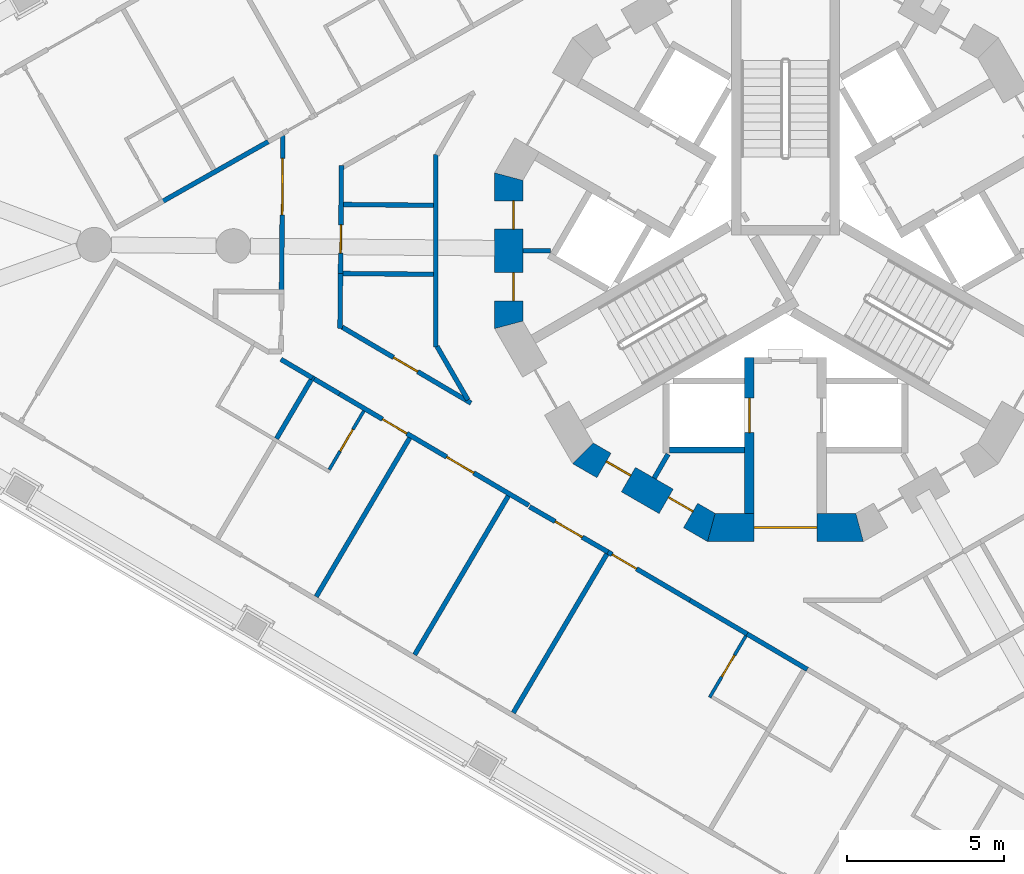
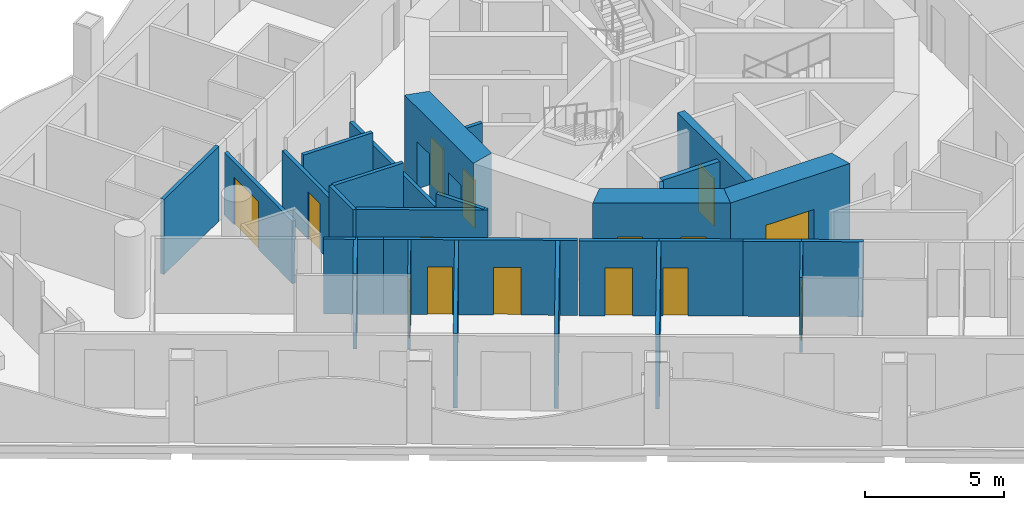
# One storey, part 3 of 18: 29 walls, 15 doors, 15 openings.
"""IFC4 building model written with IfcOpenShell, lengths in metres."""

from ifc_helpers import new_model, si_unit, direction, frame, frame_2d, origin, place, context, subcontext, project, spatial, polyline, rectangle, outline, extrude, material, layer, layer_set, type_object, element, fill, save


model = new_model("IFC4")

# Units and contexts
model_context = context("Model", 3, precision=1e-05, world=origin(), true_north=direction((0.0, 1.0)))
body_context = subcontext(model_context, "Body", "Model", "MODEL_VIEW")
ifc_project = project(units=[si_unit("LENGTHUNIT", "METRE"), si_unit("AREAUNIT", "SQUARE_METRE"), si_unit("VOLUMEUNIT", "CUBIC_METRE"), si_unit("PLANEANGLEUNIT", "RADIAN"), si_unit("MASSUNIT", "GRAM", prefix="KILO")], contexts=[model_context])

# Site, building, storey
site_placement = place(None, origin())
site = spatial("IfcSite", under=ifc_project, at=site_placement, CompositionType="ELEMENT")
building_placement = place(site_placement, origin())
building = spatial("IfcBuilding", under=site, at=building_placement, Name="Trine Commons Tower", CompositionType="ELEMENT")
storey_placement = place(building_placement, frame((0.0, 0.0, 175.5)))
storey = spatial("IfcBuildingStorey", under=building, at=storey_placement, Name="L45", CompositionType="ELEMENT", Elevation=175.5)

# Walls
ifc_material_1 = material(Name="Plasterboard partition on steel studs", Category="steel")
ifc_layer_1 = layer(ifc_material_1, 0.14990234375)
ifc_layer_set_1 = layer_set([ifc_layer_1], Name="Plasterboard partition on steel studs")
wall_type_1 = type_object("IfcWallType", Name="Core room partition 150 mm, EI 60", PredefinedType="PARTITIONING", material=ifc_layer_set_1)
for number, where, z_axis, x_axis, name in (
    (1, (71.626953125, 62.5, 0.0), (0.0, 0.0, 1.0), (1.0, 0.0, 0.0), "Core room partition L45"),
    (2, (75.81396484375, 55.2490234375, 0.0), (0.0, 0.0, 1.0), (0.499890179513, 0.866088799389, 0.0), "Core room partition L45"),
):
    element("IfcWall", number, at=place(storey_placement, frame(where, z_axis=z_axis, x_axis=x_axis)), inside=storey, type_object=wall_type_1, Name=name, PredefinedType="PARTITIONING", context=body_context, shape_type="SweptSolid", body=[
        extrude(rectangle(XDim=0.882080078125, YDim=0.14990234375, at=frame_2d((0.44091796875, 0.0))), origin(), (0.0, 0.0, 1.0), 3.300048828125),
    ])

# Wall, opening, door
ifc_material_2 = material(Name="Concrete C60/75", Category="concrete")
ifc_layer_2 = layer(ifc_material_2, 0.300048828125)
ifc_layer_set_2 = layer_set([ifc_layer_2], Name="Concrete C60/75")
wall_type_2 = type_object("IfcWallType", Name="RC shear wall 300 mm, C60/75", PredefinedType="SHEAR", material=ifc_layer_set_2)
wall_1_placement = place(storey_placement, frame((78.85009765625, 59.10009765625, 0.0), z_axis=(0.0, 0.0, 1.0), x_axis=(0.0, -1.0, 0.0)))
wall_1 = element("IfcWall", 3, at=wall_1_placement, inside=storey, type_object=wall_type_2, Name="Core cross wall SWB-03 L45", PredefinedType="SHEAR", context=body_context, shape_type="SweptSolid", body=[
    extrude(rectangle(XDim=4.97314453125, YDim=0.300048828125, at=frame_2d((2.486572265625, 0.0))), origin(), (0.0, 0.0, 1.0), 3.60009765625),
])
opening_1_placement = place(wall_1_placement, frame((1.300048828125, 0.0, 0.0)))
opening_1 = element("IfcOpeningElement", 4, at=opening_1_placement, cuts=wall_1, Name="Opening LD10", PredefinedType="OPENING", context=body_context, shape_type="SweptSolid", body=[
    extrude(rectangle(XDim=1.10009765625, YDim=2.10009765625, at=frame_2d((0.550048828125, 1.050048828125))), frame((0.0, 0.159912109375, 0.0), z_axis=(0.0, -1.0, 0.0), x_axis=(1.0, 0.0, 0.0)), (0.0, 0.0, 1.0), 0.320068359375),
])
ifc_material_3 = material(Name="Stainless steel sliding door leaves", Category="steel")
door_type_1 = type_object("IfcDoorType", Name="Lift landing door, centre-opening sliding 1100 x 2100, FD90", OperationType="DOUBLE_DOOR_SLIDING", PredefinedType="DOOR", material=ifc_material_3)
door_1_placement = place(opening_1_placement, origin())
door_1 = element("IfcDoor", 5, at=door_1_placement, inside=storey, type_object=door_type_1, Name="Lift landing door FF2 L45", OperationType="DOUBLE_DOOR_SLIDING", OverallHeight=2.10009765625, OverallWidth=1.10009765625, PredefinedType="DOOR", context=body_context, shape_type="SweptSolid", body=[
    extrude(rectangle(XDim=1.10009765625, YDim=2.10009765625, at=frame_2d((0.550048828125, 1.050048828125))), frame((0.0, 0.02490234375, 0.0), z_axis=(0.0, -1.0, 0.0), x_axis=(1.0, 0.0, 0.0)), (0.0, 0.0, 1.0), 0.050048828125),
])
fill(opening_1, door_1)

# Wall, openings, doors
ifc_layer_3 = layer(ifc_material_2, 0.89990234375)
ifc_layer_set_3 = layer_set([ifc_layer_3], Name="Concrete C60/75")
wall_type_3 = type_object("IfcWallType", Name="RC shear wall 900 mm, C60/75", PredefinedType="SHEAR", material=ifc_layer_set_3)
wall_2_placement = place(storey_placement, frame((71.177001953125, 64.984619140625, 0.0), z_axis=(0.0, 0.0, 1.0), x_axis=(0.0, -1.0, 0.0)))
wall_2 = element("IfcWall", 6, at=wall_2_placement, inside=storey, type_object=wall_type_3, Name="Core wall CWE-07 L45", PredefinedType="SHEAR", context=body_context, shape_type="SweptSolid", body=[
    extrude(outline(polyline([(0.0, -0.449951171875), (4.969482421875, -0.449951171875), (4.728271484375, 0.449951171875), (0.2412109375, 0.449951171875), (0.0, -0.449951171875)])), origin(), (0.0, 0.0, 1.0), 3.60009765625),
])
opening_2_placement = place(wall_2_placement, frame((0.893798828125, 0.0, 0.0)))
opening_2 = element("IfcOpeningElement", 7, at=opening_2_placement, cuts=wall_2, Name="Opening K12.16", PredefinedType="OPENING", context=body_context, shape_type="SweptSolid", body=[
    extrude(rectangle(XDim=0.89990234375, YDim=2.10009765625, at=frame_2d((0.449951171875, 1.050048828125))), frame((0.0, 0.4599609375, 0.0), z_axis=(0.0, -1.0, 0.0), x_axis=(1.0, 0.0, 0.0)), (0.0, 0.0, 1.0), 0.919921875),
])
opening_3_placement = place(wall_2_placement, frame((3.184814453125, 0.0, 0.0)))
opening_3 = element("IfcOpeningElement", 8, at=opening_3_placement, cuts=wall_2, Name="Opening K12.17", PredefinedType="OPENING", context=body_context, shape_type="SweptSolid", body=[
    extrude(rectangle(XDim=0.89990234375, YDim=2.10009765625, at=frame_2d((0.449951171875, 1.050048828125))), frame((0.0, 0.4599609375, 0.0), z_axis=(0.0, -1.0, 0.0), x_axis=(1.0, 0.0, 0.0)), (0.0, 0.0, 1.0), 0.919921875),
])
ifc_material_4 = material(Name="Steel door leaf, fire-rated", Category="steel")
door_type_2 = type_object("IfcDoorType", Name="Core room door, single leaf 900 x 2100, FD30S", OperationType="SINGLE_SWING_LEFT", PredefinedType="DOOR", material=ifc_material_4)
door_2_placement = place(opening_2_placement, origin())
door_2 = element("IfcDoor", 9, at=door_2_placement, inside=storey, type_object=door_type_2, Name="Door to Pantry L45", OperationType="SINGLE_SWING_LEFT", OverallHeight=2.10009765625, OverallWidth=0.89990234375, PredefinedType="DOOR", context=body_context, shape_type="SweptSolid", body=[
    extrude(rectangle(XDim=0.89990234375, YDim=2.10009765625, at=frame_2d((0.449951171875, 1.050048828125))), frame((0.0, 0.1748046875, 0.0), z_axis=(0.0, -1.0, 0.0), x_axis=(1.0, 0.0, 0.0)), (0.0, 0.0, 1.0), 0.050048828125),
])
fill(opening_2, door_2)
door_3_placement = place(opening_3_placement, origin())
door_3 = element("IfcDoor", 10, at=door_3_placement, inside=storey, type_object=door_type_2, Name="Door to Comms room L45", OperationType="SINGLE_SWING_RIGHT", OverallHeight=2.10009765625, OverallWidth=0.89990234375, PredefinedType="DOOR", context=body_context, shape_type="SweptSolid", body=[
    extrude(rectangle(XDim=0.89990234375, YDim=2.10009765625, at=frame_2d((0.449951171875, 1.050048828125))), frame((0.0, 0.1748046875, 0.0), z_axis=(0.0, -1.0, 0.0), x_axis=(1.0, 0.0, 0.0)), (0.0, 0.0, 1.0), 0.050048828125),
])
fill(opening_3, door_3)

wall_3_placement = place(storey_placement, frame((73.436767578125, 56.1015625, 0.0), z_axis=(0.0, 0.0, 1.0), x_axis=(0.866003133579, -0.500038571144, 0.0)))
wall_3 = element("IfcWall", 11, at=wall_3_placement, inside=storey, type_object=wall_type_3, Name="Core wall CWE-09 L45", PredefinedType="SHEAR", context=body_context, shape_type="SweptSolid", body=[
    extrude(outline(polyline([(0.0, -0.449951171875), (4.96923828125, -0.449951171875), (4.72802734375, 0.449951171875), (0.2412109375, 0.449951171875), (0.0, -0.449951171875)])), origin(), (0.0, 0.0, 1.0), 3.60009765625),
])
opening_4_placement = place(wall_3_placement, frame((0.89599609375, 0.0, 0.0)))
opening_4 = element("IfcOpeningElement", 12, at=opening_4_placement, cuts=wall_3, Name="Opening K12.18", PredefinedType="OPENING", context=body_context, shape_type="SweptSolid", body=[
    extrude(rectangle(XDim=0.89990234375, YDim=2.10009765625, at=frame_2d((0.449951171875, 1.050048828125))), frame((0.0, 0.4599609375, 0.0), z_axis=(0.0, -1.0, 0.0), x_axis=(1.0, 0.0, 0.0)), (0.0, 0.0, 1.0), 0.919921875),
])
opening_5_placement = place(wall_3_placement, frame((3.18505859375, 0.0, 0.0)))
opening_5 = element("IfcOpeningElement", 13, at=opening_5_placement, cuts=wall_3, Name="Opening K12.19", PredefinedType="OPENING", context=body_context, shape_type="SweptSolid", body=[
    extrude(rectangle(XDim=0.89990234375, YDim=2.10009765625, at=frame_2d((0.449951171875, 1.050048828125))), frame((0.0, 0.4599609375, 0.0), z_axis=(0.0, -1.0, 0.0), x_axis=(1.0, 0.0, 0.0)), (0.0, 0.0, 1.0), 0.919921875),
])
door_4_placement = place(opening_4_placement, origin())
door_4 = element("IfcDoor", 14, at=door_4_placement, inside=storey, type_object=door_type_2, Name="Door to Print room L45", OperationType="SINGLE_SWING_LEFT", OverallHeight=2.10009765625, OverallWidth=0.89990234375, PredefinedType="DOOR", context=body_context, shape_type="SweptSolid", body=[
    extrude(rectangle(XDim=0.89990234375, YDim=2.10009765625, at=frame_2d((0.449951171875, 1.050048828125))), frame((0.0, 0.1748046875, 0.0), z_axis=(0.0, -1.0, 0.0), x_axis=(1.0, 0.0, 0.0)), (0.0, 0.0, 1.0), 0.050048828125),
])
fill(opening_4, door_4)
door_5_placement = place(opening_5_placement, origin())
door_5 = element("IfcDoor", 15, at=door_5_placement, inside=storey, type_object=door_type_2, Name="Door to Core WC L45", OperationType="SINGLE_SWING_RIGHT", OverallHeight=2.10009765625, OverallWidth=0.89990234375, PredefinedType="DOOR", context=body_context, shape_type="SweptSolid", body=[
    extrude(rectangle(XDim=0.89990234375, YDim=2.10009765625, at=frame_2d((0.449951171875, 1.050048828125))), frame((0.0, 0.1748046875, 0.0), z_axis=(0.0, -1.0, 0.0), x_axis=(1.0, 0.0, 0.0)), (0.0, 0.0, 1.0), 0.050048828125),
])
fill(opening_5, door_5)

# Wall, opening, door
wall_4_placement = place(storey_placement, frame((77.515380859375, 53.677001953125, 0.0), z_axis=(0.0, 0.0, 1.0), x_axis=(1.0, 0.0, 0.0)))
wall_4 = element("IfcWall", 16, at=wall_4_placement, inside=storey, type_object=wall_type_3, Name="Core wall CWE-10 L45", PredefinedType="SHEAR", context=body_context, shape_type="SweptSolid", body=[
    extrude(outline(polyline([(0.0, -0.449951171875), (4.969482421875, -0.449951171875), (4.728271484375, 0.449951171875), (0.2412109375, 0.449951171875), (0.0, -0.449951171875)])), origin(), (0.0, 0.0, 1.0), 3.60009765625),
])
opening_6_placement = place(wall_4_placement, frame((1.484619140625, 0.0, 0.0)))
opening_6 = element("IfcOpeningElement", 17, at=opening_6_placement, cuts=wall_4, Name="Opening K12.08", PredefinedType="OPENING", context=body_context, shape_type="SweptSolid", body=[
    extrude(rectangle(XDim=2.0, YDim=2.10009765625, at=frame_2d((1.0, 1.050048828125))), frame((0.0, 0.4599609375, 0.0), z_axis=(0.0, -1.0, 0.0), x_axis=(1.0, 0.0, 0.0)), (0.0, 0.0, 1.0), 0.919921875),
])
ifc_material_5 = material(Name="Steel door leaves, fire-rated", Category="steel")
door_type_3 = type_object("IfcDoorType", Name="Lobby door, double leaf 2000 x 2100, FD60", OperationType="DOUBLE_DOOR_SINGLE_SWING", PredefinedType="DOOR", material=ifc_material_5)
door_6_placement = place(opening_6_placement, origin())
door_6 = element("IfcDoor", 18, at=door_6_placement, inside=storey, type_object=door_type_3, Name="Lobby door, Service and firefighting lobby L45", OperationType="DOUBLE_DOOR_SINGLE_SWING", OverallHeight=2.10009765625, OverallWidth=2.0, PredefinedType="DOOR", context=body_context, shape_type="SweptSolid", body=[
    extrude(rectangle(XDim=2.0, YDim=2.10009765625, at=frame_2d((1.0, 1.050048828125))), frame((0.0, 0.02490234375, 0.0), z_axis=(0.0, -1.0, 0.0), x_axis=(1.0, 0.0, 0.0)), (0.0, 0.0, 1.0), 0.050048828125),
])
fill(opening_6, door_6)

# Walls
ifc_material_6 = material(Name="Fire-rated gypsum shaft wall system")
ifc_layer_4 = layer(ifc_material_6, 0.199951171875)
ifc_layer_set_4 = layer_set([ifc_layer_4], Name="Fire-rated gypsum shaft wall system")
wall_type_4 = type_object("IfcWallType", Name="Shaft wall 200 mm, EI 120", PredefinedType="PARTITIONING", material=ifc_layer_set_4)
wall_5_placement = place(storey_placement, frame((78.699951171875, 56.14990234375, 0.0), z_axis=(0.0, 0.0, 1.0), x_axis=(-1.0, 0.0, 0.0)))
element("IfcWall", 19, at=wall_5_placement, inside=storey, type_object=wall_type_4, Name="Shaft wall L45", PredefinedType="PARTITIONING", context=body_context, shape_type="SweptSolid", body=[
    extrude(rectangle(XDim=2.39990234375, YDim=0.199951171875, at=frame_2d((1.199951171875, 0.0))), origin(), (0.0, 0.0, 1.0), 3.300048828125),
])
ifc_material_7 = material(Name="Gypsum plasterboard on steel stud", Category="steel")
ifc_layer_5 = layer(ifc_material_7, 0.14990234375)
ifc_layer_set_5 = layer_set([ifc_layer_5], Name="Gypsum plasterboard on steel stud")
wall_type_5 = type_object("IfcWallType", Name="Unit and corridor wall 150 mm, EI 60", PredefinedType="PARTITIONING", material=ifc_layer_set_5)
wall_6_placement = place(storey_placement, frame((60.113037109375, 64.056884765625, 0.0), z_axis=(0.0, 0.0, 1.0), x_axis=(0.870300828713, 0.492520524995, 0.0)))
element("IfcWall", 20, at=wall_6_placement, inside=storey, type_object=wall_type_5, Name="Partition 008", PredefinedType="PARTITIONING", context=body_context, shape_type="SweptSolid", body=[
    extrude(rectangle(XDim=3.906494140625, YDim=0.14990234375, at=frame_2d((1.953125, 0.0))), origin(), (0.0, 0.0, 1.0), 3.300048828125),
])
wall_7_placement = place(storey_placement, frame((63.7724609375, 56.509033203125, 0.0), z_axis=(0.0, 0.0, 1.0), x_axis=(0.507359649966, 0.861734405479, 0.0)))
element("IfcWall", 21, at=wall_7_placement, inside=storey, type_object=wall_type_5, Name="Partition 020", PredefinedType="PARTITIONING", context=body_context, shape_type="SweptSolid", body=[
    extrude(rectangle(XDim=2.3251953125, YDim=0.14990234375, at=frame_2d((1.16259765625, 0.0))), origin(), (0.0, 0.0, 1.0), 3.300048828125),
])
wall_8_placement = place(storey_placement, frame((63.9140625, 59.037109375, 0.0), z_axis=(0.0, 0.0, 1.0), x_axis=(0.861518804546, -0.507725663536, 0.0)))
element("IfcWall", 22, at=wall_8_placement, inside=storey, type_object=wall_type_5, Name="Partition 021", PredefinedType="PARTITIONING", context=body_context, shape_type="SweptSolid", body=[
    extrude(rectangle(XDim=1.1640625, YDim=0.14990234375, at=frame_2d((0.58203125, 0.0))), origin(), (0.0, 0.0, 1.0), 3.300048828125),
])

# Wall, opening, door
wall_9_placement = place(storey_placement, frame((63.931884765625, 61.18310546875, 0.0), z_axis=(0.0, 0.0, 1.0), x_axis=(0.008717466764, 0.999962002165, 0.0)))
wall_9 = element("IfcWall", 23, at=wall_9_placement, inside=storey, type_object=wall_type_5, Name="Partition 023", PredefinedType="PARTITIONING", context=body_context, shape_type="SweptSolid", body=[
    extrude(rectangle(XDim=4.985107421875, YDim=0.14990234375, at=frame_2d((2.49267578125, 0.0))), origin(), (0.0, 0.0, 1.0), 2.75),
])
opening_7_placement = place(wall_9_placement, frame((2.458984375, 0.0, 0.0)))
opening_7 = element("IfcOpeningElement", 24, at=opening_7_placement, cuts=wall_9, Name="Opening D-5B03", PredefinedType="OPENING", context=body_context, shape_type="SweptSolid", body=[
    extrude(rectangle(XDim=1.800048828125, YDim=2.10009765625, at=frame_2d((0.89990234375, 1.050048828125))), frame((0.0, 0.0849609375, 0.0), z_axis=(0.0, -1.0, 0.0), x_axis=(1.0, 0.0, 0.0)), (0.0, 0.0, 1.0), 0.169921875),
])
ifc_material_8 = material(Name="Timber fire door set", Category="wood")
door_type_4 = type_object("IfcDoorType", Name="Cluster entrance door 1800 x 2100, double leaf, FD30S", OperationType="DOUBLE_DOOR_DOUBLE_SWING", PredefinedType="DOOR", material=ifc_material_8)
door_7_placement = place(opening_7_placement, origin())
door_7 = element("IfcDoor", 25, at=door_7_placement, inside=storey, type_object=door_type_4, Name="Door D-5B03", OperationType="DOUBLE_DOOR_DOUBLE_SWING", OverallHeight=2.10009765625, OverallWidth=1.800048828125, PredefinedType="DOOR", context=body_context, shape_type="SweptSolid", body=[
    extrude(rectangle(XDim=1.800048828125, YDim=2.10009765625, at=frame_2d((0.89990234375, 1.050048828125))), frame((0.0, 0.02490234375, 0.0), z_axis=(0.0, -1.0, 0.0), x_axis=(1.0, 0.0, 0.0)), (0.0, 0.0, 1.0), 0.050048828125),
])
fill(opening_7, door_7)

# Walls
wall_10_placement = place(storey_placement, frame((64.9755859375, 58.411865234375, 0.0), z_axis=(0.0, 0.0, 1.0), x_axis=(0.861348284073, -0.508014894982, 0.0)))
element("IfcWall", 26, at=wall_10_placement, inside=storey, type_object=wall_type_5, Name="Partition 025", PredefinedType="PARTITIONING", context=body_context, shape_type="SweptSolid", body=[
    extrude(rectangle(XDim=0.932861328125, YDim=0.14990234375, at=frame_2d((0.46630859375, 0.0))), origin(), (0.0, 0.0, 1.0), 3.300048828125),
])
wall_11_placement = place(storey_placement, frame((65.037353515625, 51.470458984375, 0.0), z_axis=(0.0, 0.0, 1.0), x_axis=(0.507499507785, 0.861652046709, 0.0)))
element("IfcWall", 27, at=wall_11_placement, inside=storey, type_object=wall_type_5, Name="Partition 027", PredefinedType="PARTITIONING", context=body_context, shape_type="SweptSolid", body=[
    extrude(rectangle(XDim=5.874755859375, YDim=0.14990234375, at=frame_2d((2.9375, 0.0))), origin(), (0.0, 0.0, 1.0), 3.300048828125),
])

# Wall, openings, doors
wall_12_placement = place(storey_placement, frame((65.779052734375, 57.93798828125, 0.0), z_axis=(0.0, 0.0, 1.0), x_axis=(0.861623120435, -0.507548616718, 0.0)))
wall_12 = element("IfcWall", 28, at=wall_12_placement, inside=storey, type_object=wall_type_5, Name="Partition 032", PredefinedType="PARTITIONING", context=body_context, shape_type="SweptSolid", body=[
    extrude(rectangle(XDim=7.004150390625, YDim=0.14990234375, at=frame_2d((3.501953125, 0.0))), origin(), (0.0, 0.0, 1.0), 3.300048828125),
])
opening_8_placement = place(wall_12_placement, frame((3.967041015625, 0.0, 0.0)))
opening_8 = element("IfcOpeningElement", 29, at=opening_8_placement, cuts=wall_12, Name="Opening D-5B27", PredefinedType="OPENING", context=body_context, shape_type="SweptSolid", body=[
    extrude(rectangle(XDim=1.0, YDim=2.10009765625, at=frame_2d((0.5, 1.050048828125))), frame((0.0, 0.0849609375, 0.0), z_axis=(0.0, -1.0, 0.0), x_axis=(1.0, 0.0, 0.0)), (0.0, 0.0, 1.0), 0.169921875),
])
opening_9_placement = place(wall_12_placement, frame((1.593505859375, 0.0, 0.0)))
opening_9 = element("IfcOpeningElement", 30, at=opening_9_placement, cuts=wall_12, Name="Opening D-5B28", PredefinedType="OPENING", context=body_context, shape_type="SweptSolid", body=[
    extrude(rectangle(XDim=0.89990234375, YDim=2.10009765625, at=frame_2d((0.449951171875, 1.050048828125))), frame((0.0, 0.0849609375, 0.0), z_axis=(0.0, -1.0, 0.0), x_axis=(1.0, 0.0, 0.0)), (0.0, 0.0, 1.0), 0.169921875),
])
ifc_material_9 = material(Name="Painted timber", Category="wood")
door_type_5 = type_object("IfcDoorType", Name="Amenity room door 1000 x 2100, NOT RATED", OperationType="NOTDEFINED", PredefinedType="DOOR", material=ifc_material_9)
door_8_placement = place(opening_8_placement, frame((1.0, 0.0, 0.0), z_axis=(0.0, 0.0, 1.0), x_axis=(-1.0, 0.0, 0.0)))
door_8 = element("IfcDoor", 31, at=door_8_placement, inside=storey, type_object=door_type_5, Name="Door D-5B27", OperationType="SINGLE_SWING_LEFT", OverallHeight=2.10009765625, OverallWidth=1.0, PredefinedType="DOOR", context=body_context, shape_type="SweptSolid", body=[
    extrude(rectangle(XDim=1.0, YDim=2.10009765625, at=frame_2d((0.5, 1.050048828125))), frame((0.0, 0.02490234375, 0.0), z_axis=(0.0, -1.0, 0.0), x_axis=(1.0, 0.0, 0.0)), (0.0, 0.0, 1.0), 0.050048828125),
])
fill(opening_8, door_8)
door_type_6 = type_object("IfcDoorType", Name="Bedroom door 900 x 2100, FD30S", OperationType="NOTDEFINED", PredefinedType="DOOR", material=ifc_material_8)
door_9_placement = place(opening_9_placement, frame((0.89990234375, 0.0, 0.0), z_axis=(0.0, 0.0, 1.0), x_axis=(-1.0, 0.0, 0.0)))
door_9 = element("IfcDoor", 32, at=door_9_placement, inside=storey, type_object=door_type_6, Name="Door D-5B28", OperationType="SINGLE_SWING_RIGHT", OverallHeight=2.10009765625, OverallWidth=0.89990234375, PredefinedType="DOOR", context=body_context, shape_type="SweptSolid", body=[
    extrude(rectangle(XDim=0.89990234375, YDim=2.10009765625, at=frame_2d((0.449951171875, 1.050048828125))), frame((0.0, 0.02490234375, 0.0), z_axis=(0.0, -1.0, 0.0), x_axis=(1.0, 0.0, 0.0)), (0.0, 0.0, 1.0), 0.050048828125),
])
fill(opening_9, door_9)

# Wall
wall_13_placement = place(storey_placement, frame((65.79736328125, 60.028076171875, 0.0), z_axis=(0.0, 0.0, 1.0), x_axis=(0.00892821556, 0.999960142689, 0.0)))
element("IfcWall", 33, at=wall_13_placement, inside=storey, type_object=wall_type_5, Name="Partition 033", PredefinedType="PARTITIONING", context=body_context, shape_type="SweptSolid", body=[
    extrude(rectangle(XDim=1.75, YDim=0.14990234375, at=frame_2d((0.875, 0.0))), origin(), (0.0, 0.0, 1.0), 3.300048828125),
])

# Wall, opening, door
wall_14_placement = place(storey_placement, frame((65.862548828125, 60.06494140625, 0.0), z_axis=(0.0, 0.0, 1.0), x_axis=(0.861635540959, -0.507527530835, 0.0)))
wall_14 = element("IfcWall", 34, at=wall_14_placement, inside=storey, type_object=wall_type_5, Name="Partition 034", PredefinedType="PARTITIONING", context=body_context, shape_type="SweptSolid", body=[
    extrude(rectangle(XDim=4.7724609375, YDim=0.14990234375, at=frame_2d((2.38623046875, 0.0))), origin(), (0.0, 0.0, 1.0), 3.300048828125),
])
opening_10_placement = place(wall_14_placement, frame((1.898681640625, 0.0, 0.0)))
opening_10 = element("IfcOpeningElement", 35, at=opening_10_placement, cuts=wall_14, Name="Opening D-5B30", PredefinedType="OPENING", context=body_context, shape_type="SweptSolid", body=[
    extrude(rectangle(XDim=0.89990234375, YDim=2.10009765625, at=frame_2d((0.449951171875, 1.050048828125))), frame((0.0, 0.0849609375, 0.0), z_axis=(0.0, -1.0, 0.0), x_axis=(1.0, 0.0, 0.0)), (0.0, 0.0, 1.0), 0.169921875),
])
door_type_7 = type_object("IfcDoorType", Name="Service door 900 x 2100, FD30S", OperationType="NOTDEFINED", PredefinedType="DOOR", material=ifc_material_8)
door_10_placement = place(opening_10_placement, origin())
door_10 = element("IfcDoor", 36, at=door_10_placement, inside=storey, type_object=door_type_7, Name="Door D-5B30", OperationType="SINGLE_SWING_LEFT", OverallHeight=2.10009765625, OverallWidth=0.89990234375, PredefinedType="DOOR", context=body_context, shape_type="SweptSolid", body=[
    extrude(rectangle(XDim=0.89990234375, YDim=2.10009765625, at=frame_2d((0.449951171875, 1.050048828125))), frame((0.0, 0.02490234375, 0.0), z_axis=(0.0, -1.0, 0.0), x_axis=(1.0, 0.0, 0.0)), (0.0, 0.0, 1.0), 0.050048828125),
])
fill(opening_10, door_10)

wall_15_placement = place(storey_placement, frame((65.8125, 61.695068359375, 0.0), z_axis=(0.0, 0.0, 1.0), x_axis=(0.008521236962, 0.999963693601, 0.0)))
wall_15 = element("IfcWall", 37, at=wall_15_placement, inside=storey, type_object=wall_type_5, Name="Partition 035", PredefinedType="PARTITIONING", context=body_context, shape_type="SweptSolid", body=[
    extrude(rectangle(XDim=3.524169921875, YDim=0.14990234375, at=frame_2d((1.76220703125, 0.0))), origin(), (0.0, 0.0, 1.0), 2.75),
])
opening_11_placement = place(wall_15_placement, frame((0.72900390625, 0.0, 0.0)))
opening_11 = element("IfcOpeningElement", 38, at=opening_11_placement, cuts=wall_15, Name="Opening D-5B36", PredefinedType="OPENING", context=body_context, shape_type="SweptSolid", body=[
    extrude(rectangle(XDim=0.89990234375, YDim=2.10009765625, at=frame_2d((0.449951171875, 1.050048828125))), frame((0.0, 0.0849609375, 0.0), z_axis=(0.0, -1.0, 0.0), x_axis=(1.0, 0.0, 0.0)), (0.0, 0.0, 1.0), 0.169921875),
])
door_11_placement = place(opening_11_placement, frame((0.89990234375, 0.0, 0.0), z_axis=(0.0, 0.0, 1.0), x_axis=(-1.0, 0.0, 0.0)))
door_11 = element("IfcDoor", 39, at=door_11_placement, inside=storey, type_object=door_type_7, Name="Door D-5B36", OperationType="SINGLE_SWING_RIGHT", OverallHeight=2.10009765625, OverallWidth=0.89990234375, PredefinedType="DOOR", context=body_context, shape_type="SweptSolid", body=[
    extrude(rectangle(XDim=0.89990234375, YDim=2.10009765625, at=frame_2d((0.449951171875, 1.050048828125))), frame((0.0, 0.02490234375, 0.0), z_axis=(0.0, -1.0, 0.0), x_axis=(1.0, 0.0, 0.0)), (0.0, 0.0, 1.0), 0.050048828125),
])
fill(opening_11, door_11)

# Walls
wall_16_placement = place(storey_placement, frame((65.887939453125, 61.773193359375, 0.0), z_axis=(0.0, 0.0, 1.0), x_axis=(0.999961385679, -0.008787897931, 0.0)))
element("IfcWall", 40, at=wall_16_placement, inside=storey, type_object=wall_type_5, Name="Partition 036", PredefinedType="PARTITIONING", context=body_context, shape_type="SweptSolid", body=[
    extrude(rectangle(XDim=2.88916015625, YDim=0.14990234375, at=frame_2d((1.444580078125, 0.0))), origin(), (0.0, 0.0, 1.0), 3.300048828125),
])
wall_17_placement = place(storey_placement, frame((65.906982421875, 63.973388671875, 0.0), z_axis=(0.0, 0.0, 1.0), x_axis=(0.999960115563, -0.008931253159, 0.0)))
element("IfcWall", 41, at=wall_17_placement, inside=storey, type_object=wall_type_5, Name="Partition 038", PredefinedType="PARTITIONING", context=body_context, shape_type="SweptSolid", body=[
    extrude(rectangle(XDim=2.8701171875, YDim=0.14990234375, at=frame_2d((1.43505859375, 0.0))), origin(), (0.0, 0.0, 1.0), 3.300048828125),
])
wall_18_placement = place(storey_placement, frame((68.17919921875, 49.619384765625, 0.0), z_axis=(0.0, 0.0, 1.0), x_axis=(0.507603061138, 0.861591047031, 0.0)))
element("IfcWall", 42, at=wall_18_placement, inside=storey, type_object=wall_type_5, Name="Partition 042", PredefinedType="PARTITIONING", context=body_context, shape_type="SweptSolid", body=[
    extrude(rectangle(XDim=5.8740234375, YDim=0.14990234375, at=frame_2d((2.93701171875, 0.0))), origin(), (0.0, 0.0, 1.0), 3.300048828125),
])
wall_19_placement = place(storey_placement, frame((68.85205078125, 59.43798828125, 0.0), z_axis=(0.0, 0.0, 1.0), x_axis=(0.0, 1.0, 0.0)))
element("IfcWall", 43, at=wall_19_placement, inside=storey, type_object=wall_type_5, Name="Partition 044", PredefinedType="PARTITIONING", context=body_context, shape_type="SweptSolid", body=[
    extrude(rectangle(XDim=6.1240234375, YDim=0.14990234375, at=frame_2d((3.06201171875, 0.0))), origin(), (0.0, 0.0, 1.0), 2.75),
])
wall_20_placement = place(storey_placement, frame((68.889404296875, 59.447998046875, 0.0), z_axis=(0.0, 0.0, 1.0), x_axis=(0.500259007655, -0.865875813994, 0.0)))
element("IfcWall", 44, at=wall_20_placement, inside=storey, type_object=wall_type_5, Name="Partition 045", PredefinedType="PARTITIONING", context=body_context, shape_type="SweptSolid", body=[
    extrude(rectangle(XDim=1.96923828125, YDim=0.14990234375, at=frame_2d((0.984619140625, 0.0))), origin(), (0.0, 0.0, 1.0), 3.300048828125),
])
wall_21_placement = place(storey_placement, frame((71.322265625, 47.7685546875, 0.0), z_axis=(0.0, 0.0, 1.0), x_axis=(0.507621238888, 0.86158033742, 0.0)))
element("IfcWall", 45, at=wall_21_placement, inside=storey, type_object=wall_type_5, Name="Partition 049", PredefinedType="PARTITIONING", context=body_context, shape_type="SweptSolid", body=[
    extrude(rectangle(XDim=5.873779296875, YDim=0.14990234375, at=frame_2d((2.93701171875, 0.0))), origin(), (0.0, 0.0, 1.0), 3.300048828125),
])

# Wall, opening, door
wall_22_placement = place(storey_placement, frame((71.839111328125, 54.339111328125, 0.0), z_axis=(0.0, 0.0, 1.0), x_axis=(0.866109656245, -0.499854042055, 0.0)))
wall_22 = element("IfcWall", 46, at=wall_22_placement, inside=storey, type_object=wall_type_5, Name="Partition 051", PredefinedType="PARTITIONING", context=body_context, shape_type="SweptSolid", body=[
    extrude(rectangle(XDim=2.890869140625, YDim=0.14990234375, at=frame_2d((1.4453125, 0.0))), origin(), (0.0, 0.0, 1.0), 3.300048828125),
])
opening_12_placement = place(wall_22_placement, frame((0.94482421875, 0.0, 0.0)))
opening_12 = element("IfcOpeningElement", 47, at=opening_12_placement, cuts=wall_22, Name="Opening D-5B26", PredefinedType="OPENING", context=body_context, shape_type="SweptSolid", body=[
    extrude(rectangle(XDim=1.0, YDim=2.10009765625, at=frame_2d((0.5, 1.050048828125))), frame((0.0, 0.0849609375, 0.0), z_axis=(0.0, -1.0, 0.0), x_axis=(1.0, 0.0, 0.0)), (0.0, 0.0, 1.0), 0.169921875),
])
door_12_placement = place(opening_12_placement, frame((1.0, 0.0, 0.0), z_axis=(0.0, 0.0, 1.0), x_axis=(-1.0, 0.0, 0.0)))
door_12 = element("IfcDoor", 48, at=door_12_placement, inside=storey, type_object=door_type_5, Name="Door D-5B26", OperationType="SINGLE_SWING_RIGHT", OverallHeight=2.10009765625, OverallWidth=1.0, PredefinedType="DOOR", context=body_context, shape_type="SweptSolid", body=[
    extrude(rectangle(XDim=1.0, YDim=2.10009765625, at=frame_2d((0.5, 1.050048828125))), frame((0.0, 0.02490234375, 0.0), z_axis=(0.0, -1.0, 0.0), x_axis=(1.0, 0.0, 0.0)), (0.0, 0.0, 1.0), 0.050048828125),
])
fill(opening_12, door_12)

wall_23_placement = place(storey_placement, frame((74.343017578125, 52.89306640625, 0.0), z_axis=(0.0, 0.0, 1.0), x_axis=(0.861723501075, -0.507378170298, 0.0)))
wall_23 = element("IfcWall", 49, at=wall_23_placement, inside=storey, type_object=wall_type_5, Name="Partition 052", PredefinedType="PARTITIONING", context=body_context, shape_type="SweptSolid", body=[
    extrude(rectangle(XDim=3.0390625, YDim=0.14990234375, at=frame_2d((1.51953125, 0.0))), origin(), (0.0, 0.0, 1.0), 3.300048828125),
])
opening_13_placement = place(wall_23_placement, frame((0.14990234375, 0.0, 0.0)))
opening_13 = element("IfcOpeningElement", 50, at=opening_13_placement, cuts=wall_23, Name="Opening D-5B25", PredefinedType="OPENING", context=body_context, shape_type="SweptSolid", body=[
    extrude(rectangle(XDim=0.89990234375, YDim=2.10009765625, at=frame_2d((0.449951171875, 1.050048828125))), frame((0.0, 0.0849609375, 0.0), z_axis=(0.0, -1.0, 0.0), x_axis=(1.0, 0.0, 0.0)), (0.0, 0.0, 1.0), 0.169921875),
])
door_13_placement = place(opening_13_placement, frame((0.89990234375, 0.0, 0.0), z_axis=(0.0, 0.0, 1.0), x_axis=(-1.0, 0.0, 0.0)))
door_13 = element("IfcDoor", 51, at=door_13_placement, inside=storey, type_object=door_type_6, Name="Door D-5B25", OperationType="SINGLE_SWING_RIGHT", OverallHeight=2.10009765625, OverallWidth=0.89990234375, PredefinedType="DOOR", context=body_context, shape_type="SweptSolid", body=[
    extrude(rectangle(XDim=0.89990234375, YDim=2.10009765625, at=frame_2d((0.449951171875, 1.050048828125))), frame((0.0, 0.02490234375, 0.0), z_axis=(0.0, -1.0, 0.0), x_axis=(1.0, 0.0, 0.0)), (0.0, 0.0, 1.0), 0.050048828125),
])
fill(opening_13, door_13)

# Walls
wall_24_placement = place(storey_placement, frame((76.9599609375, 51.35205078125, 0.0), z_axis=(0.0, 0.0, 1.0), x_axis=(0.861490543353, -0.50777361463, 0.0)))
element("IfcWall", 52, at=wall_24_placement, inside=storey, type_object=wall_type_5, Name="Partition 057", PredefinedType="PARTITIONING", context=body_context, shape_type="SweptSolid", body=[
    extrude(rectangle(XDim=2.109375, YDim=0.14990234375, at=frame_2d((1.0546875, 0.0))), origin(), (0.0, 0.0, 1.0), 3.300048828125),
])
wall_25_placement = place(storey_placement, frame((78.727783203125, 50.310302734375, 0.0), z_axis=(0.0, 0.0, 1.0), x_axis=(0.861645374086, -0.507510836648, 0.0)))
element("IfcWall", 53, at=wall_25_placement, inside=storey, type_object=wall_type_5, Name="Partition 064", PredefinedType="PARTITIONING", context=body_context, shape_type="SweptSolid", body=[
    extrude(rectangle(XDim=2.28271484375, YDim=0.14990234375, at=frame_2d((1.141357421875, 0.0))), origin(), (0.0, 0.0, 1.0), 3.300048828125),
])

# Wall, opening, door
ifc_layer_6 = layer(ifc_material_7, 0.10009765625)
ifc_layer_set_6 = layer_set([ifc_layer_6], Name="Gypsum plasterboard on steel stud")
wall_type_6 = type_object("IfcWallType", Name="Unit partition 100 mm, no rating", PredefinedType="PARTITIONING", material=ifc_layer_set_6)
wall_26_placement = place(storey_placement, frame((65.452392578125, 55.51904296875, 0.0), z_axis=(0.0, 0.0, 1.0), x_axis=(0.507363468798, 0.861732157071, 0.0)))
wall_26 = element("IfcWall", 54, at=wall_26_placement, inside=storey, type_object=wall_type_6, Name="Partition 031", PredefinedType="PARTITIONING", context=body_context, shape_type="SweptSolid", body=[
    extrude(rectangle(XDim=2.175048828125, YDim=0.10009765625, at=frame_2d((1.08740234375, 0.0))), origin(), (0.0, 0.0, 1.0), 3.300048828125),
])
opening_14_placement = place(wall_26_placement, frame((0.6875, 0.0, 0.0)))
opening_14 = element("IfcOpeningElement", 55, at=opening_14_placement, cuts=wall_26, Name="Opening D-5B57", PredefinedType="OPENING", context=body_context, shape_type="SweptSolid", body=[
    extrude(rectangle(XDim=0.800048828125, YDim=2.10009765625, at=frame_2d((0.39990234375, 1.050048828125))), frame((0.0, 0.06005859375, 0.0), z_axis=(0.0, -1.0, 0.0), x_axis=(1.0, 0.0, 0.0)), (0.0, 0.0, 1.0), 0.1201171875),
])
door_type_8 = type_object("IfcDoorType", Name="Internal door 800 x 2100, NOT RATED", OperationType="NOTDEFINED", PredefinedType="DOOR", material=ifc_material_9)
door_14_placement = place(opening_14_placement, frame((0.800048828125, 0.0, 0.0), z_axis=(0.0, 0.0, 1.0), x_axis=(-1.0, 0.0, 0.0)))
door_14 = element("IfcDoor", 56, at=door_14_placement, inside=storey, type_object=door_type_8, Name="Door D-5B57", OperationType="SINGLE_SWING_RIGHT", OverallHeight=2.10009765625, OverallWidth=0.800048828125, PredefinedType="DOOR", context=body_context, shape_type="SweptSolid", body=[
    extrude(rectangle(XDim=0.800048828125, YDim=2.10009765625, at=frame_2d((0.39990234375, 1.050048828125))), frame((0.0, 0.02490234375, 0.0), z_axis=(0.0, -1.0, 0.0), x_axis=(1.0, 0.0, 0.0)), (0.0, 0.0, 1.0), 0.050048828125),
])
fill(opening_14, door_14)

wall_27_placement = place(storey_placement, frame((77.58154296875, 48.2587890625, 0.0), z_axis=(0.0, 0.0, 1.0), x_axis=(0.507517296511, 0.861641569182, 0.0)))
wall_27 = element("IfcWall", 57, at=wall_27_placement, inside=storey, type_object=wall_type_6, Name="Partition 060", PredefinedType="PARTITIONING", context=body_context, shape_type="SweptSolid", body=[
    extrude(rectangle(XDim=2.2744140625, YDim=0.10009765625, at=frame_2d((1.13720703125, 0.0))), origin(), (0.0, 0.0, 1.0), 3.300048828125),
])
opening_15_placement = place(wall_27_placement, frame((0.76220703125, 0.0, 0.0)))
opening_15 = element("IfcOpeningElement", 58, at=opening_15_placement, cuts=wall_27, Name="Opening D-5B56", PredefinedType="OPENING", context=body_context, shape_type="SweptSolid", body=[
    extrude(rectangle(XDim=0.800048828125, YDim=2.10009765625, at=frame_2d((0.39990234375, 1.050048828125))), frame((0.0, 0.06005859375, 0.0), z_axis=(0.0, -1.0, 0.0), x_axis=(1.0, 0.0, 0.0)), (0.0, 0.0, 1.0), 0.1201171875),
])
door_15_placement = place(opening_15_placement, origin())
door_15 = element("IfcDoor", 59, at=door_15_placement, inside=storey, type_object=door_type_8, Name="Door D-5B56", OperationType="SINGLE_SWING_RIGHT", OverallHeight=2.10009765625, OverallWidth=0.800048828125, PredefinedType="DOOR", context=body_context, shape_type="SweptSolid", body=[
    extrude(rectangle(XDim=0.800048828125, YDim=2.10009765625, at=frame_2d((0.39990234375, 1.050048828125))), frame((0.0, 0.02490234375, 0.0), z_axis=(0.0, -1.0, 0.0), x_axis=(1.0, 0.0, 0.0)), (0.0, 0.0, 1.0), 0.050048828125),
])
fill(opening_15, door_15)

save(model, "model.ifc")
